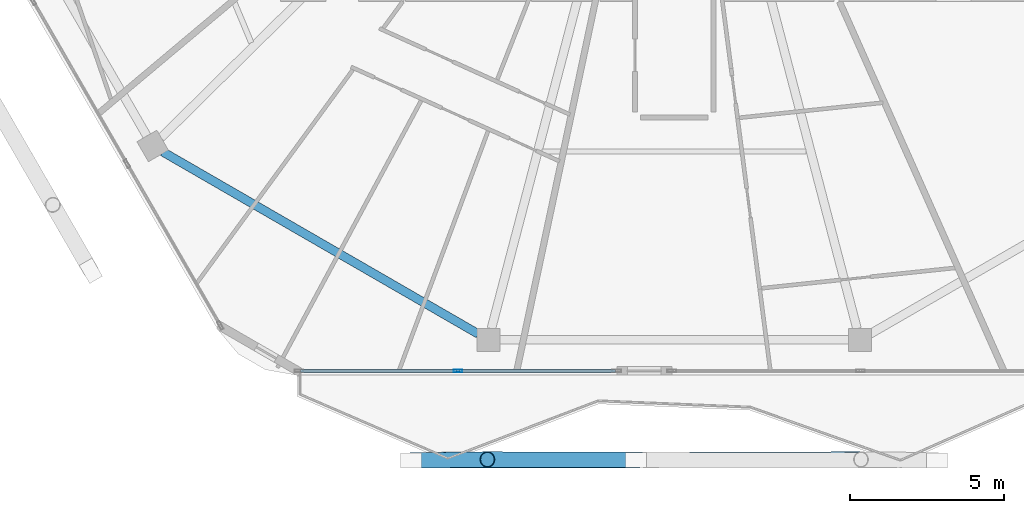
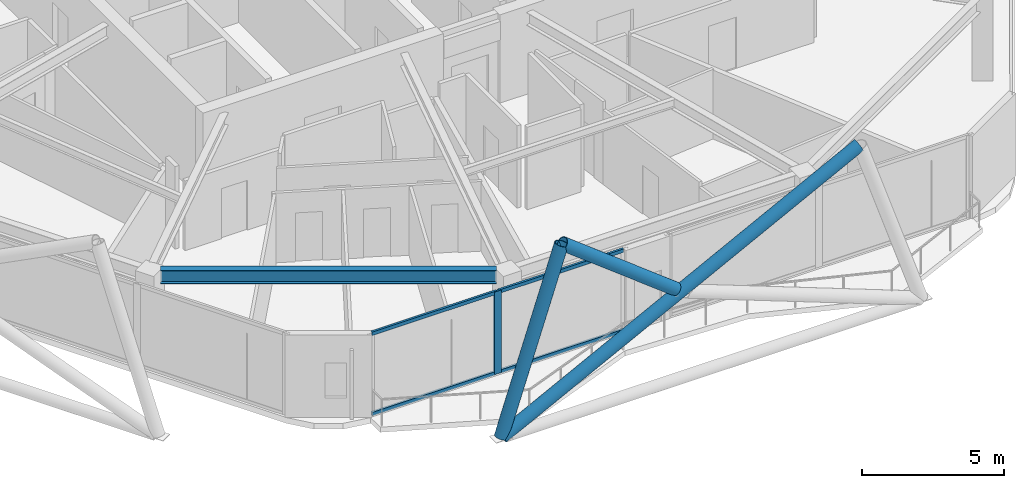
# One storey, part 3 of 23: 8 members, 1 beam, 1 element without a shape of its own.
"""IFC4 building model written with IfcOpenShell, lengths in metres."""

from ifc_helpers import new_model, si_unit, direction, frame, origin, origin_2d, place, context, subcontext, project, spatial, hollow_rectangle, hollow_circle, i_section, extrude, material, material_profile, profile_set, type_object, element, aggregate, save


model = new_model("IFC4")

# Units and contexts
model_context = context("Model", 3, precision=1e-05, world=origin(), true_north=direction((0.0, 1.0)))
body_context = subcontext(model_context, "Body", "Model", "MODEL_VIEW")
ifc_project = project(units=[si_unit("LENGTHUNIT", "METRE"), si_unit("AREAUNIT", "SQUARE_METRE"), si_unit("VOLUMEUNIT", "CUBIC_METRE"), si_unit("PLANEANGLEUNIT", "RADIAN"), si_unit("MASSUNIT", "GRAM", prefix="KILO")], contexts=[model_context])

# Site, building, storey
site_placement = place(None, origin())
site = spatial("IfcSite", under=ifc_project, at=site_placement, CompositionType="ELEMENT")
building_placement = place(site_placement, origin())
building = spatial("IfcBuilding", under=site, at=building_placement, Name="Zuhravey Tower", CompositionType="ELEMENT")
storey_placement = place(building_placement, frame((0.0, 0.0, 346.199951171875)))
storey = spatial("IfcBuildingStorey", under=building, at=storey_placement, Name="L88", CompositionType="ELEMENT", Elevation=346.199951171875)

# Curtain wall, members
ifc_material_1 = material(Name="Thermally broken anodised aluminium", Category="aluminium")
curtain_wall_type = type_object("IfcCurtainWallType", Name="Zone 3-4 High-Rise Curtain Wall CW4", PredefinedType="NOTDEFINED", material=ifc_material_1)
curtain_wall_placement = place(storey_placement, origin())
curtain_wall = element("IfcCurtainWall", 1, at=curtain_wall_placement, inside=storey, type_object=curtain_wall_type, Name="L88 CW4 CW-L88-F5-2", PredefinedType="NOTDEFINED")
ifc_material_2 = material(Name="Anodised aluminium", Category="aluminium")
ifc_material_profile_1 = material_profile(ifc_material_2, hollow_rectangle(XDim=0.090087890625, YDim=0.284912109375, WallThickness=0.0048828125, at=origin_2d()), Name="ALU-RHS-90x285x5")
ifc_profile_set_1 = profile_set([ifc_material_profile_1], Name="Anodised aluminium")
member_type_1 = type_object("IfcMemberType", Name="Curtain-Wall Mullion 90x180", PredefinedType="MULLION", material=ifc_profile_set_1)
member_1_placement = place(storey_placement, frame((28.96923828125, 7.92578125, 0.0), z_axis=(0.0, 0.0, 1.0), x_axis=(0.0, -1.0, 0.0)))
member_1 = element("IfcMember", 2, at=member_1_placement, type_object=member_type_1, Name="CW4 mullion 2", PredefinedType="MULLION", context=body_context, shape_type="SweptSolid", body=[
    extrude(hollow_rectangle(XDim=0.090087890625, YDim=0.284912109375, WallThickness=0.0048828125, at=origin_2d()), origin(), (0.0, 0.0, 1.0), 3.550048828125),
])
ifc_material_profile_2 = material_profile(ifc_material_2, hollow_rectangle(XDim=0.090087890625, YDim=0.14990234375, WallThickness=0.0048828125, at=origin_2d()), Name="ALU-RHS-90x150x5")
ifc_profile_set_2 = profile_set([ifc_material_profile_2], Name="Anodised aluminium")
member_type_2 = type_object("IfcMemberType", Name="Curtain-Wall Transom 90x150", PredefinedType="USERDEFINED", material=ifc_profile_set_2)
member_2_placement = place(storey_placement, frame((34.087890625, 7.92578125, 0.045166015625), z_axis=(-1.0, 0.0, 0.0), x_axis=(0.0, -1.0, 0.0)))
member_2 = element("IfcMember", 3, at=member_2_placement, type_object=member_type_2, Name="CW4 transom 1.1", ObjectType="TRANSOM", PredefinedType="USERDEFINED", context=body_context, shape_type="SweptSolid", body=[
    extrude(hollow_rectangle(XDim=0.090087890625, YDim=0.14990234375, WallThickness=0.0048828125, at=origin_2d()), origin(), (0.0, 0.0, 1.0), 5.073486328125),
])
member_3_placement = place(storey_placement, frame((34.087890625, 7.92578125, 3.505126953125), z_axis=(-1.0, 0.0, 0.0), x_axis=(0.0, -1.0, 0.0)))
member_3 = element("IfcMember", 4, at=member_3_placement, type_object=member_type_2, Name="CW4 transom 1.2", ObjectType="TRANSOM", PredefinedType="USERDEFINED", context=body_context, shape_type="SweptSolid", body=[
    extrude(hollow_rectangle(XDim=0.090087890625, YDim=0.14990234375, WallThickness=0.0048828125, at=origin_2d()), origin(), (0.0, 0.0, 1.0), 5.073486328125),
])
member_4_placement = place(storey_placement, frame((28.92431640625, 7.92578125, 0.045166015625), z_axis=(-1.0, 0.0, 0.0), x_axis=(0.0, -1.0, 0.0)))
member_4 = element("IfcMember", 5, at=member_4_placement, type_object=member_type_2, Name="CW4 transom 2.1", ObjectType="TRANSOM", PredefinedType="USERDEFINED", context=body_context, shape_type="SweptSolid", body=[
    extrude(hollow_rectangle(XDim=0.090087890625, YDim=0.14990234375, WallThickness=0.0048828125, at=origin_2d()), origin(), (0.0, 0.0, 1.0), 5.07373046875),
])
member_5_placement = place(storey_placement, frame((28.92431640625, 7.92578125, 3.505126953125), z_axis=(-1.0, 0.0, 0.0), x_axis=(0.0, -1.0, 0.0)))
member_5 = element("IfcMember", 6, at=member_5_placement, type_object=member_type_2, Name="CW4 transom 2.2", ObjectType="TRANSOM", PredefinedType="USERDEFINED", context=body_context, shape_type="SweptSolid", body=[
    extrude(hollow_rectangle(XDim=0.090087890625, YDim=0.14990234375, WallThickness=0.0048828125, at=origin_2d()), origin(), (0.0, 0.0, 1.0), 5.07373046875),
])
aggregate(curtain_wall, [member_1, member_2, member_3, member_4, member_5])

# Members
ifc_material_3 = material(Name="Steel SM355", Category="steel")
ifc_material_profile_3 = material_profile(ifc_material_3, hollow_circle(Radius=0.25390625, WallThickness=0.02490234375, at=origin_2d()), Name="CHS-508.0x25")
ifc_profile_set_3 = profile_set([ifc_material_profile_3], Name="Steel SM355")
member_type_3 = type_object("IfcMemberType", Name="Exoskeleton Zone 4 Diagrid CHS508x25", PredefinedType="BRACE", material=ifc_profile_set_3)
member_6_placement = place(storey_placement, frame((27.455810546875, 5.015869140625, -0.447998046875), z_axis=(0.315505389351, 0.003833563458, 0.948916041113), x_axis=(-0.012149651428, 0.999926190261, 0.0)))
element("IfcMember", 7, at=member_6_placement, inside=storey, type_object=member_type_3, Name="L88 Face 5 Diagrid Brace 1", PredefinedType="BRACE", context=body_context, shape_type="SweptSolid", body=[
    extrude(hollow_circle(Radius=0.25390625, WallThickness=0.02490234375, at=origin_2d()), origin(), (0.0, 0.0, 1.0), 7.833251953125),
])
member_7_placement = place(storey_placement, frame((27.48193359375, 5.015869140625, -0.447998046875), z_axis=(0.890574664684, 0.001837499308, 0.454833365333), x_axis=(-0.002063269336, 0.999997871458, 0.0)))
element("IfcMember", 8, at=member_7_placement, inside=storey, type_object=member_type_3, Name="L88 Face 5 Diagrid Brace 2", PredefinedType="BRACE", context=body_context, shape_type="SweptSolid", body=[
    extrude(hollow_circle(Radius=0.25390625, WallThickness=0.02490234375, at=origin_2d()), origin(), (0.0, 0.0, 1.0), 16.342529296875),
])
member_8_placement = place(storey_placement, frame((34.56591796875, 5.031494140625, 3.417724609375), z_axis=(-0.791033516928, 0.002474076415, 0.611767810563), x_axis=(-0.003127635254, -0.999995108937, 0.0)))
element("IfcMember", 9, at=member_8_placement, inside=storey, type_object=member_type_3, Name="L88 Face 5 Split Diagrid Brace 3B", PredefinedType="BRACE", context=body_context, shape_type="SweptSolid", body=[
    extrude(hollow_circle(Radius=0.25390625, WallThickness=0.02490234375, at=origin_2d()), origin(), (0.0, 0.0, 1.0), 5.822021484375),
])

# Beam
ifc_material_profile_4 = material_profile(ifc_material_3, i_section(OverallWidth=0.280029296875, OverallDepth=0.580078125, WebThickness=0.011962890625, FlangeThickness=0.01904296875, at=origin_2d()), Name="H-580x280x12x19")
ifc_profile_set_4 = profile_set([ifc_material_profile_4], Name="Steel SM355")
beam_type = type_object("IfcBeamType", Name="Perimeter Ring Beam H580x280", PredefinedType="BEAM", material=ifc_profile_set_4)
beam_placement = place(storey_placement, frame((19.37255859375, 15.04931640625, 3.260009765625), z_axis=(0.866030838723, -0.499990586292, 0.0), x_axis=(0.499990586292, 0.866030838723, 0.0)))
element("IfcBeam", 10, at=beam_placement, inside=storey, type_object=beam_type, Name="L88 PB4 BM-L88-PB-08", PredefinedType="BEAM", context=body_context, shape_type="SweptSolid", body=[
    extrude(i_section(OverallWidth=0.280029296875, OverallDepth=0.580078125, WebThickness=0.011962890625, FlangeThickness=0.01904296875, at=origin_2d()), origin(), (0.0, 0.0, 1.0), 11.848876953125),
])

save(model, "model.ifc")
